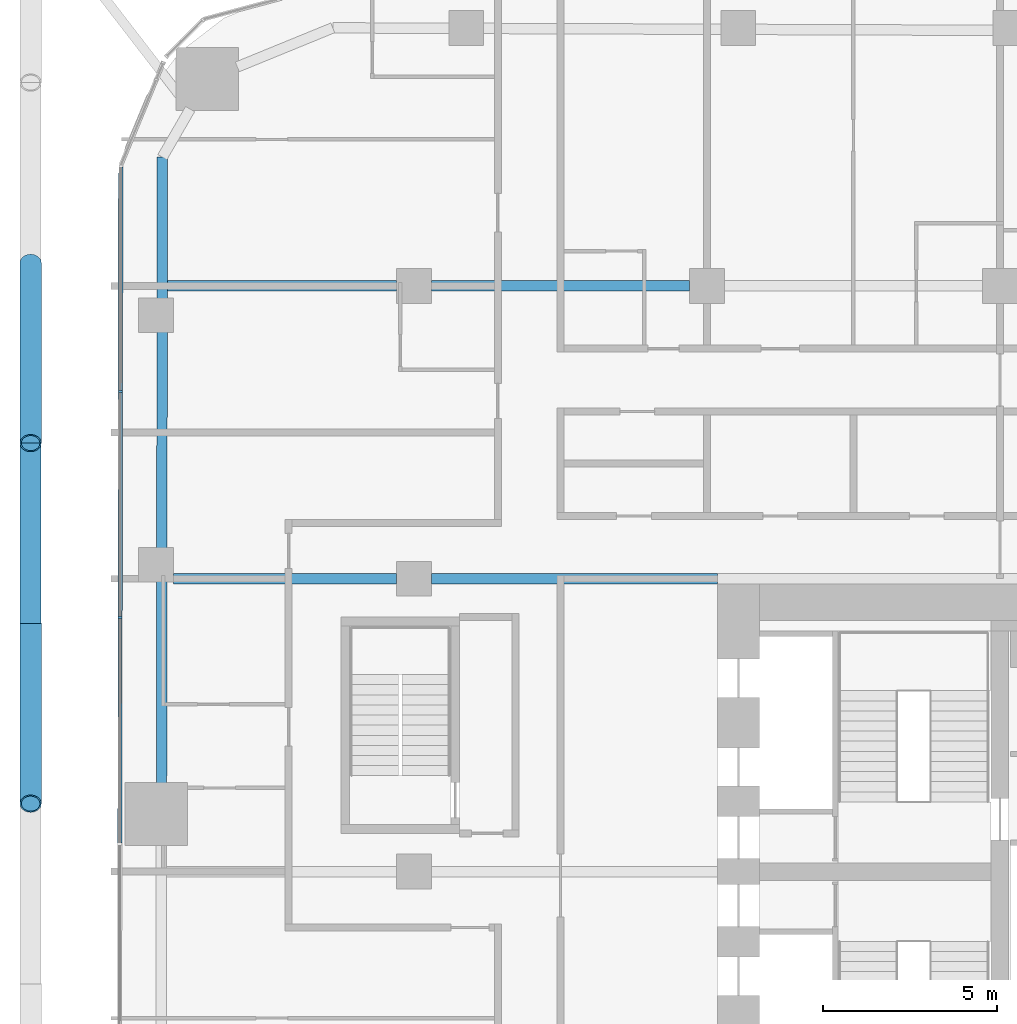
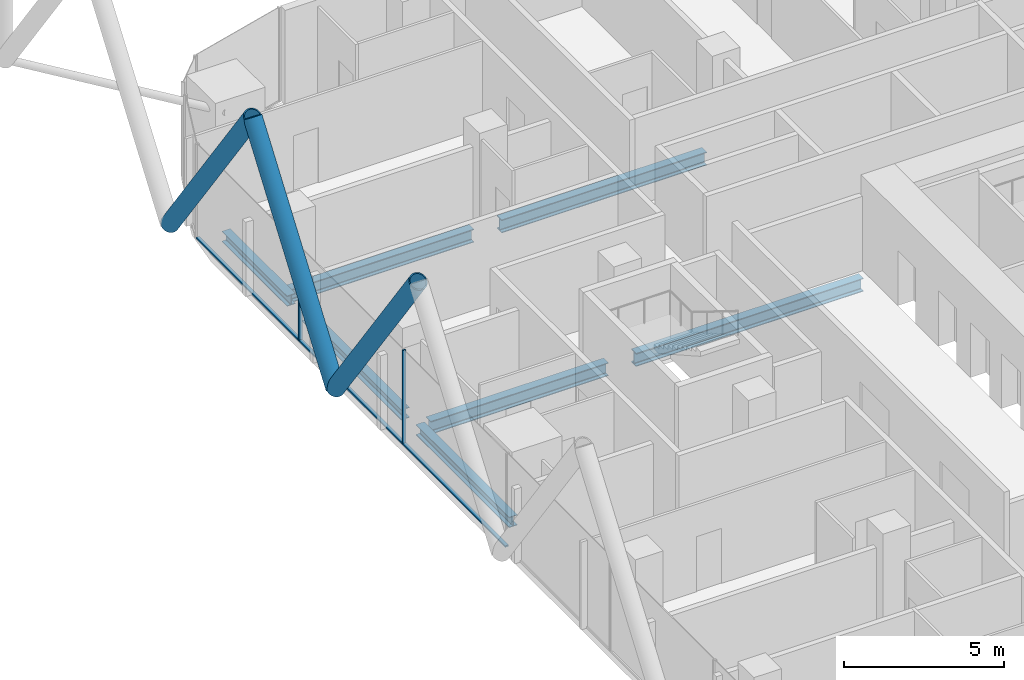
# One storey, part 9 of 34: 8 members, 7 beams, 1 element without a shape of its own.
"""IFC4 building model written with IfcOpenShell, lengths in metres."""

from ifc_helpers import new_model, si_unit, direction, frame, origin, origin_2d, place, context, subcontext, project, spatial, rectangle, hollow_circle, i_section, extrude, material, layer, layer_set, material_profile, profile_set, type_object, element, aggregate, save


model = new_model("IFC4")

# Units and contexts
model_context = context("Model", 3, precision=1e-05, world=origin(), true_north=direction((0.0, 1.0)))
body_context = subcontext(model_context, "Body", "Model", "MODEL_VIEW")
ifc_project = project(units=[si_unit("LENGTHUNIT", "METRE"), si_unit("AREAUNIT", "SQUARE_METRE"), si_unit("VOLUMEUNIT", "CUBIC_METRE"), si_unit("PLANEANGLEUNIT", "RADIAN"), si_unit("MASSUNIT", "GRAM", prefix="KILO")], contexts=[model_context])

# Site, building, storey
site_placement = place(None, origin())
site = spatial("IfcSite", under=ifc_project, at=site_placement, CompositionType="ELEMENT")
building_placement = place(site_placement, origin())
building = spatial("IfcBuilding", under=site, at=building_placement, Name="Marenta Gate Hotel Tower", CompositionType="ELEMENT")
storey_placement = place(building_placement, frame((0.0, 0.0, 76.10009765625)))
storey = spatial("IfcBuildingStorey", under=building, at=storey_placement, Name="L17", CompositionType="ELEMENT", Elevation=76.10009765625)

# Members
ifc_material_1 = material(Name="Steel S355J2W", Category="steel")
ifc_material_profile_1 = material_profile(ifc_material_1, hollow_circle(Radius=0.304931640625, WallThickness=0.0400390625, at=origin_2d()), Name="CHS 610x40")
ifc_profile_set_1 = profile_set([ifc_material_profile_1], Name="Steel S355J2W")
member_type_1 = type_object("IfcMemberType", Name="Diagrid diagonal Z1 CHS 610x40", PredefinedType="BRACE", material=ifc_profile_set_1)
member_1_placement = place(storey_placement, frame((-32.0, 15.52001953125, 3.139892578125), z_axis=(0.0, -0.583279014058, 0.812271870595), x_axis=(1.0, 0.0, 0.0)))
element("IfcMember", 1, at=member_1_placement, inside=storey, type_object=member_type_1, Name="L17-DG-30", PredefinedType="BRACE", context=body_context, shape_type="SweptSolid", body=[
    extrude(hollow_circle(Radius=0.304931640625, WallThickness=0.0400390625, at=origin_2d()), origin(), (0.0, 0.0, 1.0), 8.864013671875),
])
member_2_placement = place(storey_placement, frame((-32.0, 15.52001953125, 3.139892578125), z_axis=(0.0, 0.583260841117, 0.812284919975), x_axis=(-1.0, 0.0, 0.0)))
element("IfcMember", 2, at=member_2_placement, inside=storey, type_object=member_type_1, Name="L17-DG-31", PredefinedType="BRACE", context=body_context, shape_type="SweptSolid", body=[
    extrude(hollow_circle(Radius=0.304931640625, WallThickness=0.0400390625, at=origin_2d()), origin(), (0.0, 0.0, 1.0), 8.86376953125),
])
member_3_placement = place(storey_placement, frame((-32.0, 25.860107421875, 3.139892578125), z_axis=(0.0, -0.583279014058, 0.812271870595), x_axis=(1.0, 0.0, 0.0)))
element("IfcMember", 3, at=member_3_placement, inside=storey, type_object=member_type_1, Name="L17-DG-32", PredefinedType="BRACE", context=body_context, shape_type="SweptSolid", body=[
    extrude(hollow_circle(Radius=0.304931640625, WallThickness=0.0400390625, at=origin_2d()), origin(), (0.0, 0.0, 1.0), 8.864013671875),
])

# Beams
ifc_material_2 = material(Name="Steel S355", Category="steel")
ifc_material_profile_2 = material_profile(ifc_material_2, i_section(OverallWidth=0.300048828125, OverallDepth=0.39990234375, WebThickness=0.013427734375, FlangeThickness=0.02392578125, FilletRadius=0.027099609375, at=origin_2d()), Name="HEB 400")
ifc_profile_set_2 = profile_set([ifc_material_profile_2], Name="Steel S355")
beam_type_1 = type_object("IfcBeamType", Name="Edge beam HEB 400", PredefinedType="SPANDREL", material=ifc_profile_set_2)
beam_1_placement = place(storey_placement, frame((-28.246337890625, 10.909912109375, -0.460205078125), z_axis=(0.001423009483, 0.999998987521, 0.0), x_axis=(-0.999998987521, 0.001423009483, 0.0)))
element("IfcBeam", 4, at=beam_1_placement, inside=storey, type_object=beam_type_1, Name="L17-EB-8", PredefinedType="SPANDREL", context=body_context, shape_type="SweptSolid", body=[
    extrude(i_section(OverallWidth=0.300048828125, OverallDepth=0.39990234375, WebThickness=0.013427734375, FlangeThickness=0.02392578125, FilletRadius=0.027099609375, at=origin_2d()), origin(), (0.0, 0.0, 1.0), 5.833251953125),
])
beam_2_placement = place(storey_placement, frame((-28.23681640625, 17.6630859375, -0.460205078125), z_axis=(0.001370827476, 0.999999060416, 0.0), x_axis=(-0.999999060416, 0.001370827476, 0.0)))
element("IfcBeam", 5, at=beam_2_placement, inside=storey, type_object=beam_type_1, Name="L17-EB-9", PredefinedType="SPANDREL", context=body_context, shape_type="SweptSolid", body=[
    extrude(i_section(OverallWidth=0.300048828125, OverallDepth=0.39990234375, WebThickness=0.013427734375, FlangeThickness=0.02392578125, FilletRadius=0.027099609375, at=origin_2d()), origin(), (0.0, 0.0, 1.0), 6.2333984375),
])
beam_3_placement = place(storey_placement, frame((-28.22705078125, 24.81640625, -0.460205078125), z_axis=(0.001377821732, 0.999999050803, 0.0), x_axis=(-0.999999050803, 0.001377821732, 0.0)))
element("IfcBeam", 6, at=beam_3_placement, inside=storey, type_object=beam_type_1, Name="L17-EB-10", PredefinedType="SPANDREL", context=body_context, shape_type="SweptSolid", body=[
    extrude(i_section(OverallWidth=0.300048828125, OverallDepth=0.39990234375, WebThickness=0.013427734375, FlangeThickness=0.02392578125, FilletRadius=0.027099609375, at=origin_2d()), origin(), (0.0, 0.0, 1.0), 4.075439453125),
])
ifc_material_3 = material(Name="Steel S355", Category="steel")
ifc_material_profile_3 = material_profile(ifc_material_3, i_section(OverallWidth=0.300048828125, OverallDepth=0.5, WebThickness=0.014404296875, FlangeThickness=0.028076171875, FilletRadius=0.027099609375, at=origin_2d()), Name="HEB 500")
ifc_profile_set_3 = profile_set([ifc_material_profile_3], Name="Steel S355")
beam_type_2 = type_object("IfcBeamType", Name="Girder HEB 500", PredefinedType="BEAM", material=ifc_profile_set_3)
beam_4_placement = place(storey_placement, frame((-27.89990234375, 16.800048828125, -0.510009765625), z_axis=(1.0, 0.0, 0.0), x_axis=(0.0, 1.0, 0.0)))
element("IfcBeam", 7, at=beam_4_placement, inside=storey, type_object=beam_type_2, Name="L17-GD-17", PredefinedType="BEAM", context=body_context, shape_type="SweptSolid", body=[
    extrude(i_section(OverallWidth=0.300048828125, OverallDepth=0.5, WebThickness=0.014404296875, FlangeThickness=0.028076171875, FilletRadius=0.027099609375, at=origin_2d()), origin(), (0.0, 0.0, 1.0), 6.39990234375),
])
beam_5_placement = place(storey_placement, frame((-20.5, 16.800048828125, -0.510009765625), z_axis=(1.0, 0.0, 0.0), x_axis=(0.0, 1.0, 0.0)))
element("IfcBeam", 8, at=beam_5_placement, inside=storey, type_object=beam_type_2, Name="L17-GD-18", PredefinedType="BEAM", context=body_context, shape_type="SweptSolid", body=[
    extrude(i_section(OverallWidth=0.300048828125, OverallDepth=0.5, WebThickness=0.014404296875, FlangeThickness=0.028076171875, FilletRadius=0.027099609375, at=origin_2d()), origin(), (0.0, 0.0, 1.0), 8.199951171875),
])
beam_6_placement = place(storey_placement, frame((-28.076416015625, 25.199951171875, -0.510009765625), z_axis=(1.0, 0.0, 0.0), x_axis=(0.0, 1.0, 0.0)))
element("IfcBeam", 9, at=beam_6_placement, inside=storey, type_object=beam_type_2, Name="L17-GD-22", PredefinedType="BEAM", context=body_context, shape_type="SweptSolid", body=[
    extrude(i_section(OverallWidth=0.300048828125, OverallDepth=0.5, WebThickness=0.014404296875, FlangeThickness=0.028076171875, FilletRadius=0.027099609375, at=origin_2d()), origin(), (0.0, 0.0, 1.0), 6.576416015625),
])
beam_7_placement = place(storey_placement, frame((-20.5, 25.199951171875, -0.510009765625), z_axis=(1.0, 0.0, 0.0), x_axis=(0.0, 1.0, 0.0)))
element("IfcBeam", 10, at=beam_7_placement, inside=storey, type_object=beam_type_2, Name="L17-GD-23", PredefinedType="BEAM", context=body_context, shape_type="SweptSolid", body=[
    extrude(i_section(OverallWidth=0.300048828125, OverallDepth=0.5, WebThickness=0.014404296875, FlangeThickness=0.028076171875, FilletRadius=0.027099609375, at=origin_2d()), origin(), (0.0, 0.0, 1.0), 7.39990234375),
])

# Curtain wall, members
ifc_material_4 = material(Name="Tinted insulated glass in bronze anodised frame", Category="glass")
ifc_layer = layer(ifc_material_4, 0.1201171875)
ifc_layer_set = layer_set([ifc_layer], Name="Tinted insulated glass in bronze anodised frame")
curtain_wall_type = type_object("IfcCurtainWallType", Name="Tower unitised curtain wall CW1", PredefinedType="NOTDEFINED", material=ifc_layer_set)
curtain_wall_placement = place(storey_placement, origin())
curtain_wall = element("IfcCurtainWall", 11, at=curtain_wall_placement, inside=storey, type_object=curtain_wall_type, Name="CW1 run G04", PredefinedType="NOTDEFINED")
ifc_material_5 = material(Name="Bronze anodised aluminium", Category="aluminium")
ifc_material_profile_4 = material_profile(ifc_material_5, rectangle(XDim=0.1201171875, YDim=0.06005859375, at=origin_2d()), Name="Mullion CW1 60x120 bronze anodised aluminium")
ifc_profile_set_4 = profile_set([ifc_material_profile_4], Name="Bronze anodised aluminium")
member_type_2 = type_object("IfcMemberType", Name="Mullion CW1 60x120 bronze anodised aluminium", PredefinedType="MULLION", material=ifc_profile_set_4)
member_4_placement = place(storey_placement, frame((-29.42236328125, 22.17578125, 0.0), z_axis=(0.0, 0.0, 1.0), x_axis=(0.99999877316, -0.00156642217, 0.0)))
member_4 = element("IfcMember", 12, at=member_4_placement, type_object=member_type_2, Name="CW1 mullion 2", PredefinedType="MULLION", context=body_context, shape_type="SweptSolid", body=[
    extrude(rectangle(XDim=0.1201171875, YDim=0.06005859375, at=origin_2d()), origin(), (0.0, 0.0, 1.0), 3.599853515625),
])
member_5_placement = place(storey_placement, frame((-29.4326171875, 15.685546875, 0.0), z_axis=(0.0, 0.0, 1.0), x_axis=(0.99999877316, -0.00156642217, 0.0)))
member_5 = element("IfcMember", 13, at=member_5_placement, type_object=member_type_2, Name="CW1 mullion 3", PredefinedType="MULLION", context=body_context, shape_type="SweptSolid", body=[
    extrude(rectangle(XDim=0.1201171875, YDim=0.06005859375, at=origin_2d()), origin(), (0.0, 0.0, 1.0), 3.599853515625),
])
ifc_material_6 = material(Name="Bronze anodised aluminium", Category="aluminium")
ifc_material_profile_5 = material_profile(ifc_material_6, rectangle(XDim=0.1201171875, YDim=0.06005859375, at=origin_2d()), Name="Transom CW1 60x120 bronze anodised aluminium")
ifc_profile_set_5 = profile_set([ifc_material_profile_5], Name="Bronze anodised aluminium")
member_type_3 = type_object("IfcMemberType", Name="Transom CW1 60x120 bronze anodised aluminium", PredefinedType="USERDEFINED", material=ifc_profile_set_5)
member_6_placement = place(storey_placement, frame((-29.412353515625, 28.606201171875, 0.02978515625), z_axis=(-0.001563928512, -0.999998777063, 0.0), x_axis=(0.999998777063, -0.001563928512, 0.0)))
member_6 = element("IfcMember", 14, at=member_6_placement, type_object=member_type_3, Name="CW1 transom 1.1", ObjectType="TRANSOM", PredefinedType="USERDEFINED", context=body_context, shape_type="SweptSolid", body=[
    extrude(rectangle(XDim=0.1201171875, YDim=0.06005859375, at=origin_2d()), origin(), (0.0, 0.0, 1.0), 6.400390625),
])
member_7_placement = place(storey_placement, frame((-29.422607421875, 22.145751953125, 0.02978515625), z_axis=(-0.001556684271, -0.999998788366, 0.0), x_axis=(0.999998788366, -0.001556684271, 0.0)))
member_7 = element("IfcMember", 15, at=member_7_placement, type_object=member_type_3, Name="CW1 transom 2.1", ObjectType="TRANSOM", PredefinedType="USERDEFINED", context=body_context, shape_type="SweptSolid", body=[
    extrude(rectangle(XDim=0.1201171875, YDim=0.06005859375, at=origin_2d()), origin(), (0.0, 0.0, 1.0), 6.43017578125),
])
member_8_placement = place(storey_placement, frame((-29.4326171875, 15.655517578125, 0.02978515625), z_axis=(-0.001594591541, -0.999998728638, 0.0), x_axis=(0.999998728638, -0.001594591541, 0.0)))
member_8 = element("IfcMember", 16, at=member_8_placement, type_object=member_type_3, Name="CW1 transom 3.1", ObjectType="TRANSOM", PredefinedType="USERDEFINED", context=body_context, shape_type="SweptSolid", body=[
    extrude(rectangle(XDim=0.1201171875, YDim=0.06005859375, at=origin_2d()), origin(), (0.0, 0.0, 1.0), 6.430419921875),
])
aggregate(curtain_wall, [member_4, member_5, member_6, member_7, member_8])

save(model, "model.ifc")
